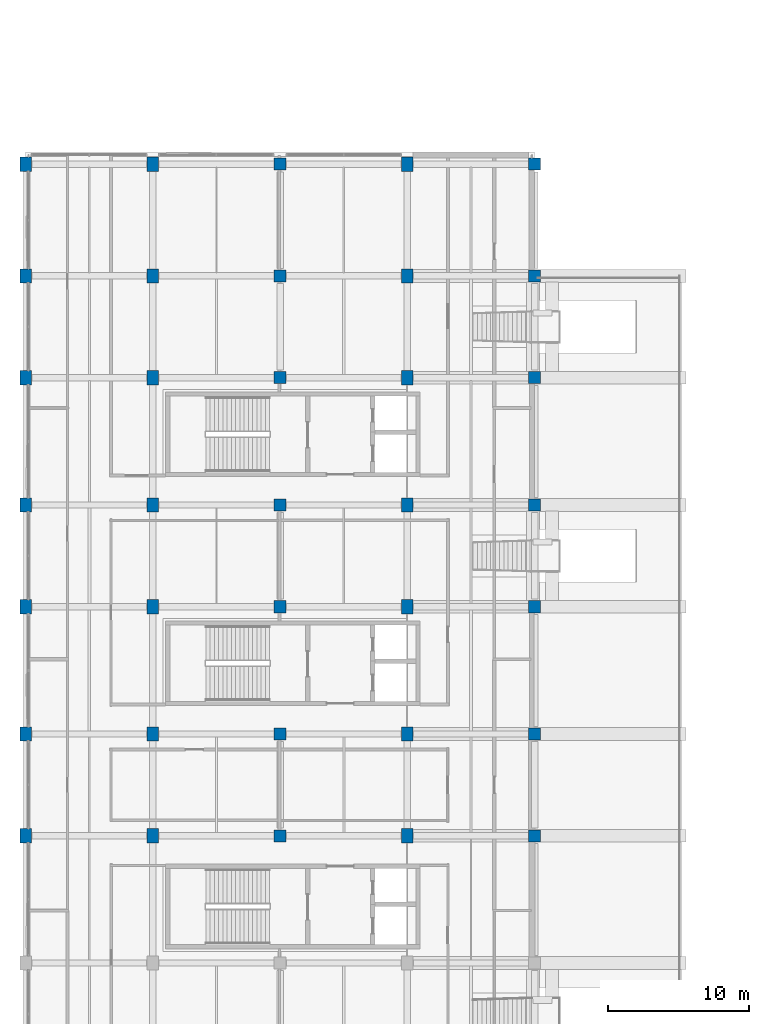
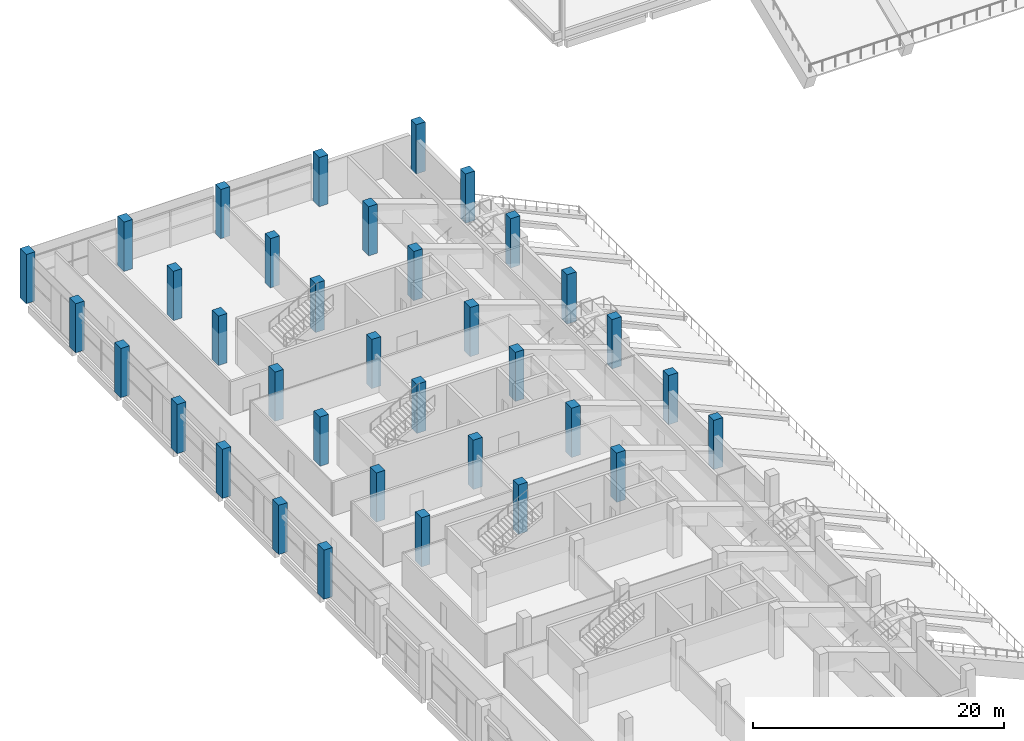
# One storey, part 6 of 66: 35 columns.
"""IFC4 building model written with IfcOpenShell, lengths in metres."""

from ifc_helpers import new_model, si_unit, direction, frame, origin, origin_2d, place, context, subcontext, project, spatial, rectangle, extrude, material, material_profile, profile_set, type_object, element, save


model = new_model("IFC4")

# Units and contexts
model_context = context("Model", 3, precision=1e-05, world=origin(), true_north=direction((0.0, 1.0)))
body_context = subcontext(model_context, "Body", "Model", "MODEL_VIEW")
ifc_project = project(units=[si_unit("LENGTHUNIT", "METRE"), si_unit("AREAUNIT", "SQUARE_METRE"), si_unit("VOLUMEUNIT", "CUBIC_METRE"), si_unit("PLANEANGLEUNIT", "RADIAN"), si_unit("MASSUNIT", "GRAM", prefix="KILO"), si_unit("THERMODYNAMICTEMPERATUREUNIT", "KELVIN"), si_unit("POWERUNIT", "WATT")], contexts=[model_context])

# Site, building, storey
site_placement = place(None, origin())
site = spatial("IfcSite", under=ifc_project, at=site_placement, CompositionType="ELEMENT")
building_placement = place(site_placement, origin())
building = spatial("IfcBuilding", under=site, at=building_placement, Name="Sindhuravela Promenade Stadium", CompositionType="ELEMENT")
storey_placement = place(building_placement, frame((0.0, 0.0, 19.199951171875)))
storey = spatial("IfcBuildingStorey", under=building, at=storey_placement, Name="L04", CompositionType="ELEMENT", Elevation=19.199951171875)

# Columns
ifc_material = material(Name="Concrete M40", Category="concrete")
ifc_material_profile_1 = material_profile(ifc_material, rectangle(XDim=0.800048828125, YDim=1.0, at=origin_2d()), Name="RC 800x1000")
ifc_profile_set_1 = profile_set([ifc_material_profile_1], Name="Concrete M40")
column_type_1 = type_object("IfcColumnType", Name="RC-CL-800x1000", PredefinedType="COLUMN", material=ifc_profile_set_1)
for number, where, z_axis, x_axis, name in (
    (1, (0.0, 77.39990234375, 0.0), (0.0, 0.0, 1.0), (1.0, 0.0, 0.0), "Column C10 WEST L04"),
    (2, (0.0, 84.60009765625, 0.0), (0.0, 0.0, 1.0), (1.0, 0.0, 0.0), "Column C10 WEST L04"),
    (3, (0.0, 93.60009765625, 0.0), (0.0, 0.0, 1.0), (1.0, 0.0, 0.0), "Column C10 WEST L04"),
    (4, (0.0, 100.800048828125, 0.0), (0.0, 0.0, 1.0), (1.0, 0.0, 0.0), "Column C10 WEST L04"),
    (5, (0.0, 109.800048828125, 0.0), (0.0, 0.0, 1.0), (1.0, 0.0, 0.0), "Column C10 WEST L04"),
    (6, (0.0, 117.0, 0.0), (0.0, 0.0, 1.0), (1.0, 0.0, 0.0), "Column C10 WEST L04"),
    (7, (0.0, 124.89990234375, 0.0), (0.0, 0.0, 1.0), (1.0, 0.0, 0.0), "Column C10 WEST L04"),
    (8, (9.0, 77.39990234375, 0.0), (0.0, 0.0, 1.0), (1.0, 0.0, 0.0), "Column C10 WEST L04"),
    (9, (9.0, 84.60009765625, 0.0), (0.0, 0.0, 1.0), (1.0, 0.0, 0.0), "Column C10 WEST L04"),
    (10, (9.0, 93.60009765625, 0.0), (0.0, 0.0, 1.0), (1.0, 0.0, 0.0), "Column C10 WEST L04"),
    (11, (9.0, 100.800048828125, 0.0), (0.0, 0.0, 1.0), (1.0, 0.0, 0.0), "Column C10 WEST L04"),
    (12, (9.0, 109.800048828125, 0.0), (0.0, 0.0, 1.0), (1.0, 0.0, 0.0), "Column C10 WEST L04"),
    (13, (9.0, 117.0, 0.0), (0.0, 0.0, 1.0), (1.0, 0.0, 0.0), "Column C10 WEST L04"),
    (14, (9.0, 124.89990234375, 0.0), (0.0, 0.0, 1.0), (1.0, 0.0, 0.0), "Column C10 WEST L04"),
    (15, (27.0, 77.39990234375, 0.0), (0.0, 0.0, 1.0), (1.0, 0.0, 0.0), "Column C10 WEST L04"),
    (16, (27.0, 84.60009765625, 0.0), (0.0, 0.0, 1.0), (1.0, 0.0, 0.0), "Column C10 WEST L04"),
    (17, (27.0, 93.60009765625, 0.0), (0.0, 0.0, 1.0), (1.0, 0.0, 0.0), "Column C10 WEST L04"),
    (18, (27.0, 100.800048828125, 0.0), (0.0, 0.0, 1.0), (1.0, 0.0, 0.0), "Column C10 WEST L04"),
    (19, (27.0, 109.800048828125, 0.0), (0.0, 0.0, 1.0), (1.0, 0.0, 0.0), "Column C10 WEST L04"),
    (20, (27.0, 117.0, 0.0), (0.0, 0.0, 1.0), (1.0, 0.0, 0.0), "Column C10 WEST L04"),
    (21, (27.0, 124.89990234375, 0.0), (0.0, 0.0, 1.0), (1.0, 0.0, 0.0), "Column C10 WEST L04"),
):
    element("IfcColumn", number, at=place(storey_placement, frame(where, z_axis=z_axis, x_axis=x_axis)), inside=storey, type_object=column_type_1, Name=name, PredefinedType="COLUMN", context=body_context, shape_type="SweptSolid", body=[
        extrude(rectangle(XDim=0.800048828125, YDim=1.0, at=origin_2d()), origin(), (0.0, 0.0, 1.0), 4.800048828125),
    ])
ifc_material_profile_2 = material_profile(ifc_material, rectangle(XDim=0.85009765625, YDim=0.85009765625, at=origin_2d()), Name="RC 850x850")
ifc_profile_set_2 = profile_set([ifc_material_profile_2], Name="Concrete M40")
column_type_2 = type_object("IfcColumnType", Name="RC-CL-850x850", PredefinedType="COLUMN", material=ifc_profile_set_2)
for number, where, z_axis, x_axis, name in (
    (22, (18.0, 77.39990234375, 0.0), (0.0, 0.0, 1.0), (1.0, 0.0, 0.0), "Column C09 WEST L04"),
    (23, (18.0, 84.60009765625, 0.0), (0.0, 0.0, 1.0), (1.0, 0.0, 0.0), "Column C09 WEST L04"),
    (24, (18.0, 93.60009765625, 0.0), (0.0, 0.0, 1.0), (1.0, 0.0, 0.0), "Column C09 WEST L04"),
    (25, (18.0, 100.800048828125, 0.0), (0.0, 0.0, 1.0), (1.0, 0.0, 0.0), "Column C09 WEST L04"),
    (26, (18.0, 109.800048828125, 0.0), (0.0, 0.0, 1.0), (1.0, 0.0, 0.0), "Column C09 WEST L04"),
    (27, (18.0, 117.0, 0.0), (0.0, 0.0, 1.0), (1.0, 0.0, 0.0), "Column C09 WEST L04"),
    (28, (18.0, 124.89990234375, 0.0), (0.0, 0.0, 1.0), (1.0, 0.0, 0.0), "Column C09 WEST L04"),
    (29, (36.0, 77.39990234375, 0.0), (0.0, 0.0, 1.0), (1.0, 0.0, 0.0), "Column C09 WEST L04"),
    (30, (36.0, 84.60009765625, 0.0), (0.0, 0.0, 1.0), (1.0, 0.0, 0.0), "Column C09 WEST L04"),
    (31, (36.0, 93.60009765625, 0.0), (0.0, 0.0, 1.0), (1.0, 0.0, 0.0), "Column C09 WEST L04"),
    (32, (36.0, 100.800048828125, 0.0), (0.0, 0.0, 1.0), (1.0, 0.0, 0.0), "Column C09 WEST L04"),
    (33, (36.0, 109.800048828125, 0.0), (0.0, 0.0, 1.0), (1.0, 0.0, 0.0), "Column C09 WEST L04"),
    (34, (36.0, 117.0, 0.0), (0.0, 0.0, 1.0), (1.0, 0.0, 0.0), "Column C09 WEST L04"),
    (35, (36.0, 124.89990234375, 0.0), (0.0, 0.0, 1.0), (1.0, 0.0, 0.0), "Column C09 WEST L04"),
):
    element("IfcColumn", number, at=place(storey_placement, frame(where, z_axis=z_axis, x_axis=x_axis)), inside=storey, type_object=column_type_2, Name=name, PredefinedType="COLUMN", context=body_context, shape_type="SweptSolid", body=[
        extrude(rectangle(XDim=0.85009765625, YDim=0.85009765625, at=origin_2d()), origin(), (0.0, 0.0, 1.0), 4.800048828125),
    ])

save(model, "model.ifc")
